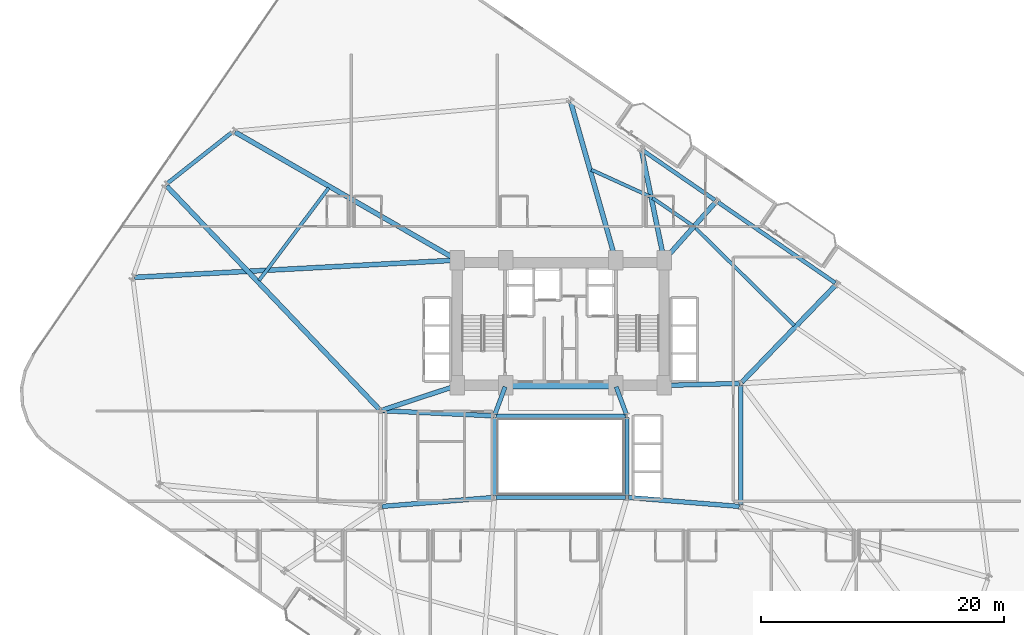
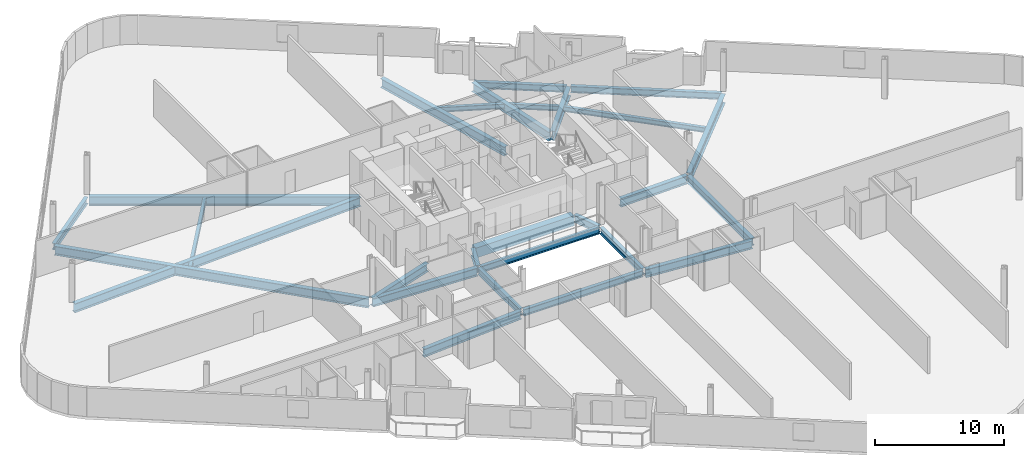
# One storey, part 5 of 25: 27 beams.
"""IFC4 building model written with IfcOpenShell, lengths in metres."""

from ifc_helpers import new_model, si_unit, direction, frame, origin, origin_2d, place, context, subcontext, project, spatial, rectangle, i_section, extrude, material, material_profile, profile_set, type_object, element, save


model = new_model("IFC4")

# Units and contexts
model_context = context("Model", 3, precision=1e-05, world=origin(), true_north=direction((0.0, 1.0)))
body_context = subcontext(model_context, "Body", "Model", "MODEL_VIEW")
ifc_project = project(units=[si_unit("LENGTHUNIT", "METRE"), si_unit("AREAUNIT", "SQUARE_METRE"), si_unit("VOLUMEUNIT", "CUBIC_METRE"), si_unit("PLANEANGLEUNIT", "RADIAN"), si_unit("MASSUNIT", "GRAM", prefix="KILO")], contexts=[model_context])

# Site, building, storey
site_placement = place(None, origin())
site = spatial("IfcSite", under=ifc_project, at=site_placement, CompositionType="ELEMENT")
building_placement = place(site_placement, origin())
building = spatial("IfcBuilding", under=site, at=building_placement, Name="Varnelok Gate Tower", CompositionType="ELEMENT")
storey_placement = place(building_placement, frame((0.0, 0.0, 56.60009765625)))
storey = spatial("IfcBuildingStorey", under=building, at=storey_placement, Name="L13", CompositionType="ELEMENT", Elevation=56.60009765625)

# Beams
ifc_material_1 = material(Name="Structural Steel ASTM A992 Grade 50", Category="steel")
ifc_material_profile_1 = material_profile(ifc_material_1, i_section(OverallWidth=0.280029296875, OverallDepth=0.462890625, WebThickness=0.0107421875, FlangeThickness=0.017333984375, FilletRadius=0.014892578125, at=origin_2d()), Name="W18X76")
ifc_profile_set_1 = profile_set([ifc_material_profile_1], Name="Structural Steel ASTM A992 Grade 50")
beam_type_1 = type_object("IfcBeamType", Name="BM-JST-W18X76", PredefinedType="JOIST", material=ifc_profile_set_1)
beam_1_placement = place(storey_placement, frame((58.3984375, 33.67431640625, -0.481689453125), z_axis=(-0.711626187223, 0.702558303387, 0.0), x_axis=(-0.702558303387, -0.711626187223, 0.0)))
element("IfcBeam", 1, at=beam_1_placement, inside=storey, type_object=beam_type_1, Name="L13 Sector Floor Joist 7", PredefinedType="JOIST", context=body_context, shape_type="SweptSolid", body=[
    extrude(i_section(OverallWidth=0.280029296875, OverallDepth=0.462890625, WebThickness=0.0107421875, FlangeThickness=0.017333984375, FilletRadius=0.014892578125, at=origin_2d()), origin(), (0.0, 0.0, 1.0), 11.442626953125),
])
beam_2_placement = place(storey_placement, frame((50.040771484375, 41.891357421875, -0.481689453125), z_axis=(-0.823549472774, 0.567244449858, 0.0), x_axis=(-0.567244449858, -0.823549472774, 0.0)))
element("IfcBeam", 2, at=beam_2_placement, inside=storey, type_object=beam_type_1, Name="L13 Sector Floor Joist 8", PredefinedType="JOIST", context=body_context, shape_type="SweptSolid", body=[
    extrude(i_section(OverallWidth=0.280029296875, OverallDepth=0.462890625, WebThickness=0.0107421875, FlangeThickness=0.017333984375, FilletRadius=0.014892578125, at=origin_2d()), origin(), (0.0, 0.0, 1.0), 3.994873046875),
])
beam_3_placement = place(storey_placement, frame((46.508056640625, 44.294921875, -0.481689453125), z_axis=(-0.910170936296, 0.414232865334, 0.0), x_axis=(-0.414232865334, -0.910170936296, 0.0)))
element("IfcBeam", 3, at=beam_3_placement, inside=storey, type_object=beam_type_1, Name="L13 Sector Floor Joist 9", PredefinedType="JOIST", context=body_context, shape_type="SweptSolid", body=[
    extrude(i_section(OverallWidth=0.280029296875, OverallDepth=0.462890625, WebThickness=0.0107421875, FlangeThickness=0.017333984375, FilletRadius=0.014892578125, at=origin_2d()), origin(), (0.0, 0.0, 1.0), 5.261962890625),
])
beam_4_placement = place(storey_placement, frame((20.136474609375, 44.978515625, -0.481689453125), z_axis=(-0.601172674718, -0.799119149547, 0.0), x_axis=(0.799119149547, -0.601172674718, 0.0)))
element("IfcBeam", 4, at=beam_4_placement, inside=storey, type_object=beam_type_1, Name="L13 Sector Floor Joist 10", PredefinedType="JOIST", context=body_context, shape_type="SweptSolid", body=[
    extrude(i_section(OverallWidth=0.280029296875, OverallDepth=0.462890625, WebThickness=0.0107421875, FlangeThickness=0.017333984375, FilletRadius=0.014892578125, at=origin_2d()), origin(), (0.0, 0.0, 1.0), 9.521484375),
])
ifc_material_2 = material(Name="Concrete C60/75", Category="concrete")
ifc_material_profile_2 = material_profile(ifc_material_2, rectangle(XDim=0.60009765625, YDim=0.949951171875, at=origin_2d()), Name="RC950X600")
ifc_profile_set_2 = profile_set([ifc_material_profile_2], Name="Concrete C60/75")
beam_type_2 = type_object("IfcBeamType", Name="BM-LNT-RC950", PredefinedType="LINTEL", material=ifc_profile_set_2)
beam_5_placement = place(storey_placement, frame((34.800048828125, 28.75, -0.72509765625), z_axis=(1.0, 0.0, 0.0), x_axis=(0.0, 1.0, 0.0)))
element("IfcBeam", 5, at=beam_5_placement, inside=storey, type_object=beam_type_2, Name="L13 Core-Atrium Spine Beam 7", PredefinedType="LINTEL", context=body_context, shape_type="SweptSolid", body=[
    extrude(rectangle(XDim=0.60009765625, YDim=0.949951171875, at=origin_2d()), origin(), (0.0, 0.0, 1.0), 8.800048828125),
])
ifc_material_profile_3 = material_profile(ifc_material_1, i_section(OverallWidth=0.35498046875, OverallDepth=0.696044921875, WebThickness=0.015380859375, FlangeThickness=0.02490234375, FilletRadius=0.02001953125, at=origin_2d()), Name="W27X146")
ifc_profile_set_3 = profile_set([ifc_material_profile_3], Name="Structural Steel ASTM A992 Grade 50")
beam_type_3 = type_object("IfcBeamType", Name="BM-PRI-W27X146", PredefinedType="BEAM", material=ifc_profile_set_3)
for number, where, z_axis, x_axis, name in (
    (6, (33.791748046875, 26.362548828125, -0.59814453125), (0.348719329408, 0.937227202602, 0.0), (-0.937227202602, 0.348719329408, 0.0), "L13 Core-Atrium Spine Beam 12"),
    (7, (44.608154296875, 26.362548828125, -0.59814453125), (-0.348719329408, 0.937227202602, 0.0), (-0.937227202602, -0.348719329408, 0.0), "L13 Core-Atrium Spine Beam 13"),
):
    element("IfcBeam", number, at=place(storey_placement, frame(where, z_axis=z_axis, x_axis=x_axis)), inside=storey, type_object=beam_type_3, Name=name, PredefinedType="BEAM", context=body_context, shape_type="SweptSolid", body=[
        extrude(i_section(OverallWidth=0.35498046875, OverallDepth=0.696044921875, WebThickness=0.015380859375, FlangeThickness=0.02490234375, FilletRadius=0.02001953125, at=origin_2d()), origin(), (0.0, 0.0, 1.0), 2.42724609375),
    ])
beam_6_placement = place(storey_placement, frame((54.0, 18.919921875, -0.59814453125), z_axis=(0.0, 1.0, 0.0), x_axis=(-1.0, 0.0, 0.0)))
element("IfcBeam", 8, at=beam_6_placement, inside=storey, type_object=beam_type_3, Name="L13 Core-Atrium Spine Beam 20", PredefinedType="BEAM", context=body_context, shape_type="SweptSolid", body=[
    extrude(i_section(OverallWidth=0.35498046875, OverallDepth=0.696044921875, WebThickness=0.015380859375, FlangeThickness=0.02490234375, FilletRadius=0.02001953125, at=origin_2d()), origin(), (0.0, 0.0, 1.0), 9.880126953125),
])
ifc_material_profile_4 = material_profile(ifc_material_1, i_section(OverallWidth=0.381103515625, OverallDepth=0.77294921875, WebThickness=0.0166015625, FlangeThickness=0.027099609375, FilletRadius=0.02197265625, at=origin_2d()), Name="W30X173")
ifc_profile_set_4 = profile_set([ifc_material_profile_4], Name="Structural Steel ASTM A992 Grade 50")
beam_type_4 = type_object("IfcBeamType", Name="BM-PRI-W30X173", PredefinedType="BEAM", material=ifc_profile_set_4)
beam_7_placement = place(storey_placement, frame((24.51953125, 18.8095703125, -0.63671875), z_axis=(0.996799206292, 0.07994587128, 0.0), x_axis=(-0.07994587128, 0.996799206292, 0.0)))
element("IfcBeam", 9, at=beam_7_placement, inside=storey, type_object=beam_type_4, Name="L13 Core-Atrium Spine Beam 14", PredefinedType="BEAM", context=body_context, shape_type="SweptSolid", body=[
    extrude(i_section(OverallWidth=0.381103515625, OverallDepth=0.77294921875, WebThickness=0.0166015625, FlangeThickness=0.027099609375, FilletRadius=0.02197265625, at=origin_2d()), origin(), (0.0, 0.0, 1.0), 9.14013671875),
])
beam_8_placement = place(storey_placement, frame((24.52001953125, 26.674560546875, -0.63671875), z_axis=(0.99894427814, -0.045938319209, 0.0), x_axis=(0.045938319209, 0.99894427814, 0.0)))
element("IfcBeam", 10, at=beam_8_placement, inside=storey, type_object=beam_type_4, Name="L13 Core-Atrium Spine Beam 15", PredefinedType="BEAM", context=body_context, shape_type="SweptSolid", body=[
    extrude(i_section(OverallWidth=0.381103515625, OverallDepth=0.77294921875, WebThickness=0.0166015625, FlangeThickness=0.027099609375, FilletRadius=0.02197265625, at=origin_2d()), origin(), (0.0, 0.0, 1.0), 9.11962890625),
])
beam_9_placement = place(storey_placement, frame((24.513916015625, 26.717529296875, -0.63671875), z_axis=(0.950041943788, 0.312122259768, 0.0), x_axis=(-0.312122259768, 0.950041943788, 0.0)))
element("IfcBeam", 11, at=beam_9_placement, inside=storey, type_object=beam_type_4, Name="L13 Core-Atrium Spine Beam 17", PredefinedType="BEAM", context=body_context, shape_type="SweptSolid", body=[
    extrude(i_section(OverallWidth=0.381103515625, OverallDepth=0.77294921875, WebThickness=0.0166015625, FlangeThickness=0.027099609375, FilletRadius=0.02197265625, at=origin_2d()), origin(), (0.0, 0.0, 1.0), 6.391357421875),
])
beam_10_placement = place(storey_placement, frame((44.76953125, 19.540283203125, -0.63671875), z_axis=(0.996799206292, -0.07994587128, 0.0), x_axis=(0.07994587128, 0.996799206292, 0.0)))
element("IfcBeam", 12, at=beam_10_placement, inside=storey, type_object=beam_type_4, Name="L13 Core-Atrium Spine Beam 18", PredefinedType="BEAM", context=body_context, shape_type="SweptSolid", body=[
    extrude(i_section(OverallWidth=0.381103515625, OverallDepth=0.77294921875, WebThickness=0.0166015625, FlangeThickness=0.027099609375, FilletRadius=0.02197265625, at=origin_2d()), origin(), (0.0, 0.0, 1.0), 9.14013671875),
])
beam_11_placement = place(storey_placement, frame((47.820068359375, 28.753173828125, -0.63671875), z_axis=(0.999635880609, 0.026983443053, 0.0), x_axis=(-0.026983443053, 0.999635880609, 0.0)))
element("IfcBeam", 13, at=beam_11_placement, inside=storey, type_object=beam_type_4, Name="L13 Core-Atrium Spine Beam 19", PredefinedType="BEAM", context=body_context, shape_type="SweptSolid", body=[
    extrude(i_section(OverallWidth=0.381103515625, OverallDepth=0.77294921875, WebThickness=0.0166015625, FlangeThickness=0.027099609375, FilletRadius=0.02197265625, at=origin_2d()), origin(), (0.0, 0.0, 1.0), 6.06201171875),
])
ifc_material_profile_5 = material_profile(ifc_material_1, i_section(OverallWidth=0.39892578125, OverallDepth=0.85498046875, WebThickness=0.018310546875, FlangeThickness=0.029296875, FilletRadius=0.02392578125, at=origin_2d()), Name="W33X201")
ifc_profile_set_5 = profile_set([ifc_material_profile_5], Name="Structural Steel ASTM A992 Grade 50")
beam_type_5 = type_object("IfcBeamType", Name="BM-PRI-W33X201", PredefinedType="BEAM", material=ifc_profile_set_5)
beam_12_placement = place(storey_placement, frame((54.104248046875, 29.02783203125, -0.677490234375), z_axis=(0.694813956558, 0.719189520066, 0.0), x_axis=(-0.719189520066, 0.694813956558, 0.0)))
element("IfcBeam", 14, at=beam_12_placement, inside=storey, type_object=beam_type_5, Name="L13 Radial Floor Girder 10", PredefinedType="BEAM", context=body_context, shape_type="SweptSolid", body=[
    extrude(i_section(OverallWidth=0.39892578125, OverallDepth=0.85498046875, WebThickness=0.018310546875, FlangeThickness=0.029296875, FilletRadius=0.02392578125, at=origin_2d()), origin(), (0.0, 0.0, 1.0), 11.057373046875),
])
beam_13_placement = place(storey_placement, frame((47.7998046875, 39.162109375, -0.677490234375), z_axis=(0.664520653518, 0.747269898395, 0.0), x_axis=(-0.747269898395, 0.664520653518, 0.0)))
element("IfcBeam", 15, at=beam_13_placement, inside=storey, type_object=beam_type_5, Name="L13 Radial Floor Girder 11", PredefinedType="BEAM", context=body_context, shape_type="SweptSolid", body=[
    extrude(i_section(OverallWidth=0.39892578125, OverallDepth=0.85498046875, WebThickness=0.018310546875, FlangeThickness=0.029296875, FilletRadius=0.02392578125, at=origin_2d()), origin(), (0.0, 0.0, 1.0), 6.18408203125),
])
beam_14_placement = place(storey_placement, frame((47.669921875, 39.197021484375, -0.677490234375), z_axis=(-0.201054404261, 0.979580076628, 0.0), x_axis=(-0.979580076628, -0.201054404261, 0.0)))
element("IfcBeam", 16, at=beam_14_placement, inside=storey, type_object=beam_type_5, Name="L13 Radial Floor Girder 12", PredefinedType="BEAM", context=body_context, shape_type="SweptSolid", body=[
    extrude(i_section(OverallWidth=0.39892578125, OverallDepth=0.85498046875, WebThickness=0.018310546875, FlangeThickness=0.029296875, FilletRadius=0.02392578125, at=origin_2d()), origin(), (0.0, 0.0, 1.0), 8.989501953125),
])
beam_15_placement = place(storey_placement, frame((43.678955078125, 39.1943359375, -0.677490234375), z_axis=(-0.273636323057, 0.961833230193, 0.0), x_axis=(-0.961833230193, -0.273636323057, 0.0)))
element("IfcBeam", 17, at=beam_15_placement, inside=storey, type_object=beam_type_5, Name="L13 Radial Floor Girder 13", PredefinedType="BEAM", context=body_context, shape_type="SweptSolid", body=[
    extrude(i_section(OverallWidth=0.39892578125, OverallDepth=0.85498046875, WebThickness=0.018310546875, FlangeThickness=0.029296875, FilletRadius=0.02392578125, at=origin_2d()), origin(), (0.0, 0.0, 1.0), 13.348388671875),
])
beam_16_placement = place(storey_placement, frame((30.570068359375, 39.125, -0.677490234375), z_axis=(-0.866373398512, 0.499396770465, 0.0), x_axis=(-0.499396770465, -0.866373398512, 0.0)))
element("IfcBeam", 18, at=beam_16_placement, inside=storey, type_object=beam_type_5, Name="L13 Radial Floor Girder 14", PredefinedType="BEAM", context=body_context, shape_type="SweptSolid", body=[
    extrude(i_section(OverallWidth=0.39892578125, OverallDepth=0.85498046875, WebThickness=0.018310546875, FlangeThickness=0.029296875, FilletRadius=0.02392578125, at=origin_2d()), origin(), (0.0, 0.0, 1.0), 20.920166015625),
])
beam_17_placement = place(storey_placement, frame((24.296630859375, 26.78857421875, -0.677490234375), z_axis=(-0.68957548794, 0.72421381265, 0.0), x_axis=(-0.72421381265, -0.68957548794, 0.0)))
element("IfcBeam", 19, at=beam_17_placement, inside=storey, type_object=beam_type_5, Name="L13 Radial Floor Girder 15", PredefinedType="BEAM", context=body_context, shape_type="SweptSolid", body=[
    extrude(i_section(OverallWidth=0.39892578125, OverallDepth=0.85498046875, WebThickness=0.018310546875, FlangeThickness=0.029296875, FilletRadius=0.02392578125, at=origin_2d()), origin(), (0.0, 0.0, 1.0), 25.324462890625),
])
beam_18_placement = place(storey_placement, frame((30.55029296875, 39.0419921875, -0.677490234375), z_axis=(-0.998572952572, -0.053404666383, 0.0), x_axis=(0.053404666383, -0.998572952572, 0.0)))
element("IfcBeam", 20, at=beam_18_placement, inside=storey, type_object=beam_type_5, Name="L13 Radial Floor Girder 16", PredefinedType="BEAM", context=body_context, shape_type="SweptSolid", body=[
    extrude(i_section(OverallWidth=0.39892578125, OverallDepth=0.85498046875, WebThickness=0.018310546875, FlangeThickness=0.029296875, FilletRadius=0.02392578125, at=origin_2d()), origin(), (0.0, 0.0, 1.0), 26.405029296875),
])
ifc_material_profile_6 = material_profile(ifc_material_1, i_section(OverallWidth=0.323974609375, OverallDepth=0.611083984375, WebThickness=0.0126953125, FlangeThickness=0.01904296875, FilletRadius=0.01806640625, at=origin_2d()), Name="W24X104")
ifc_profile_set_6 = profile_set([ifc_material_profile_6], Name="Structural Steel ASTM A992 Grade 50")
beam_type_6 = type_object("IfcBeamType", Name="BM-SPN-W24X104", PredefinedType="SPANDREL", material=ifc_profile_set_6)
for number, where, z_axis, x_axis, name in (
    (21, (33.8701171875, 19.550048828125, -0.5556640625), (1.0, 0.0, 0.0), (0.0, 1.0, 0.0), "L13 Core-Atrium Spine Beam 8"),
    (22, (33.8701171875, 26.25, -0.5556640625), (1.0, 0.0, 0.0), (0.0, 1.0, 0.0), "L13 Core-Atrium Spine Beam 9"),
):
    element("IfcBeam", number, at=place(storey_placement, frame(where, z_axis=z_axis, x_axis=x_axis)), inside=storey, type_object=beam_type_6, Name=name, PredefinedType="SPANDREL", context=body_context, shape_type="SweptSolid", body=[
        extrude(i_section(OverallWidth=0.323974609375, OverallDepth=0.611083984375, WebThickness=0.0126953125, FlangeThickness=0.01904296875, FilletRadius=0.01806640625, at=origin_2d()), origin(), (0.0, 0.0, 1.0), 10.659912109375),
    ])
for number, where, z_axis, x_axis, name in (
    (23, (33.75, 19.669921875, -0.5556640625), (0.0, 1.0, 0.0), (-1.0, 0.0, 0.0), "L13 Core-Atrium Spine Beam 10"),
    (24, (44.64990234375, 19.669921875, -0.5556640625), (0.0, 1.0, 0.0), (-1.0, 0.0, 0.0), "L13 Core-Atrium Spine Beam 11"),
):
    element("IfcBeam", number, at=place(storey_placement, frame(where, z_axis=z_axis, x_axis=x_axis)), inside=storey, type_object=beam_type_6, Name=name, PredefinedType="SPANDREL", context=body_context, shape_type="SweptSolid", body=[
        extrude(i_section(OverallWidth=0.323974609375, OverallDepth=0.611083984375, WebThickness=0.0126953125, FlangeThickness=0.01904296875, FilletRadius=0.01806640625, at=origin_2d()), origin(), (0.0, 0.0, 1.0), 6.4599609375),
    ])
beam_19_placement = place(storey_placement, frame((61.767822265625, 37.173095703125, -0.5556640625), z_axis=(-0.82353077968, 0.567271588324, 0.0), x_axis=(-0.567271588324, -0.82353077968, 0.0)))
element("IfcBeam", 25, at=beam_19_placement, inside=storey, type_object=beam_type_6, Name="L13 Perimeter Spandrel Beam 10", PredefinedType="SPANDREL", context=body_context, shape_type="SweptSolid", body=[
    extrude(i_section(OverallWidth=0.323974609375, OverallDepth=0.611083984375, WebThickness=0.0126953125, FlangeThickness=0.01904296875, FilletRadius=0.01806640625, at=origin_2d()), origin(), (0.0, 0.0, 1.0), 11.7001953125),
])
beam_20_placement = place(storey_placement, frame((51.885498046875, 43.98046875, -0.5556640625), z_axis=(-0.823550897395, 0.567242381527, 0.0), x_axis=(-0.567242381527, -0.823550897395, 0.0)))
element("IfcBeam", 26, at=beam_20_placement, inside=storey, type_object=beam_type_6, Name="L13 Perimeter Spandrel Beam 11", PredefinedType="SPANDREL", context=body_context, shape_type="SweptSolid", body=[
    extrude(i_section(OverallWidth=0.323974609375, OverallDepth=0.611083984375, WebThickness=0.0126953125, FlangeThickness=0.01904296875, FilletRadius=0.01806640625, at=origin_2d()), origin(), (0.0, 0.0, 1.0), 7.2001953125),
])
beam_21_placement = place(storey_placement, frame((12.197509765625, 49.554443359375, -0.5556640625), z_axis=(-0.784860761341, -0.619672159538, 0.0), x_axis=(0.619672159538, -0.784860761341, 0.0)))
element("IfcBeam", 27, at=beam_21_placement, inside=storey, type_object=beam_type_6, Name="L13 Perimeter Spandrel Beam 14", PredefinedType="SPANDREL", context=body_context, shape_type="SweptSolid", body=[
    extrude(i_section(OverallWidth=0.323974609375, OverallDepth=0.611083984375, WebThickness=0.0126953125, FlangeThickness=0.01904296875, FilletRadius=0.01806640625, at=origin_2d()), origin(), (0.0, 0.0, 1.0), 6.81640625),
])

save(model, "model.ifc")
